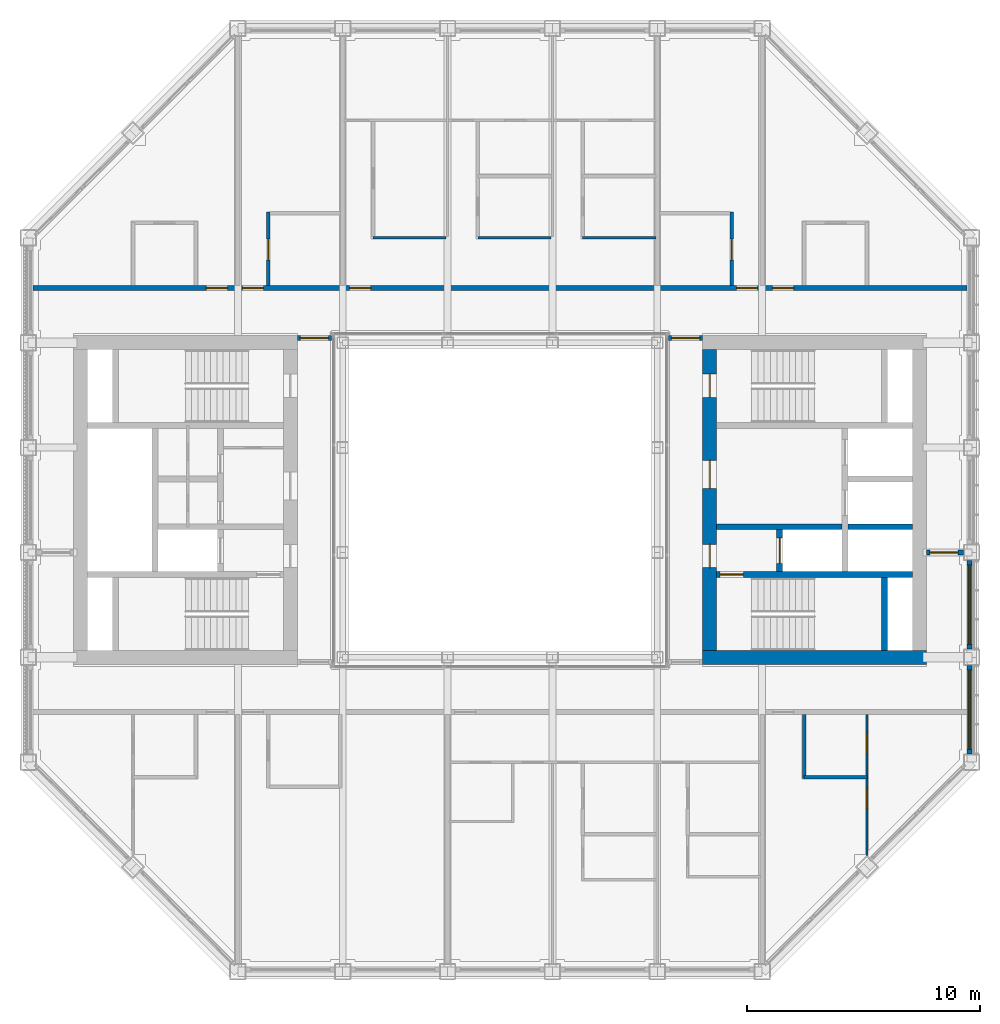
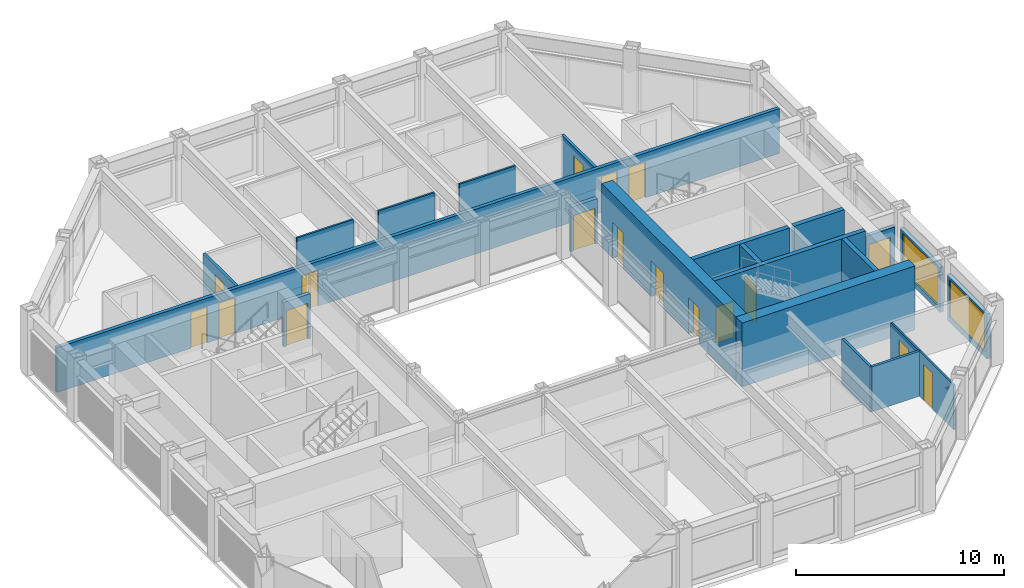
# One storey, part 11 of 17: 21 walls, 17 doors, 2 windows, 19 openings.
"""IFC4 building model written with IfcOpenShell, lengths in metres."""

from ifc_helpers import new_model, si_unit, direction, frame, frame_2d, origin, place, context, subcontext, project, spatial, rectangle, extrude, material, layer, layer_set, type_object, element, fill, save


model = new_model("IFC4")

# Units and contexts
model_context = context("Model", 3, precision=1e-05, world=origin(), true_north=direction((0.0, 1.0)))
body_context = subcontext(model_context, "Body", "Model", "MODEL_VIEW")
ifc_project = project(units=[si_unit("LENGTHUNIT", "METRE"), si_unit("AREAUNIT", "SQUARE_METRE"), si_unit("VOLUMEUNIT", "CUBIC_METRE"), si_unit("PLANEANGLEUNIT", "RADIAN"), si_unit("MASSUNIT", "GRAM", prefix="KILO")], contexts=[model_context])

# Site, building, storey
site_placement = place(None, origin())
site = spatial("IfcSite", under=ifc_project, at=site_placement, CompositionType="ELEMENT")
building_placement = place(site_placement, origin())
building = spatial("IfcBuilding", under=site, at=building_placement, Name="Msasa Ring Tower", CompositionType="ELEMENT")
storey_placement = place(building_placement, frame((0.0, 0.0, 234.550048828125)))
storey = spatial("IfcBuildingStorey", under=building, at=storey_placement, Name="L61", CompositionType="ELEMENT", Elevation=234.550048828125)

# Wall
ifc_material_1 = material(Name="Concrete C60/75", Category="concrete")
ifc_layer_1 = layer(ifc_material_1, 0.60009765625)
ifc_layer_set_1 = layer_set([ifc_layer_1], Name="CW3 CORE WALL 600")
wall_type_1 = type_object("IfcWallType", Name="CW3 CORE WALL 600", PredefinedType="SHEAR", material=ifc_layer_set_1)
wall_1_placement = place(storey_placement, frame((8.699951171875, -6.75, 0.0), z_axis=(0.0, 0.0, 1.0), x_axis=(1.0, 0.0, 0.0)))
element("IfcWall", 1, at=wall_1_placement, inside=storey, type_object=wall_type_1, Name="E core wall S L61", PredefinedType="SHEAR", context=body_context, shape_type="SweptSolid", body=[
    extrude(rectangle(XDim=9.60009765625, YDim=0.60009765625, at=frame_2d((4.800048828125, 0.0))), origin(), (0.0, 0.0, 1.0), 3.75),
])

# Wall, openings, doors
wall_2_placement = place(storey_placement, frame((9.0, -6.449951171875, 0.0), z_axis=(0.0, 0.0, 1.0), x_axis=(0.0, 1.0, 0.0)))
wall_2 = element("IfcWall", 2, at=wall_2_placement, inside=storey, type_object=wall_type_1, Name="E core wall W L61", PredefinedType="SHEAR", context=body_context, shape_type="SweptSolid", body=[
    extrude(rectangle(XDim=12.89990234375, YDim=0.60009765625, at=frame_2d((6.449951171875, 0.0))), origin(), (0.0, 0.0, 1.0), 3.75),
])
opening_1_placement = place(wall_2_placement, frame((3.550048828125, 0.0, 0.0)))
opening_1 = element("IfcOpeningElement", 3, at=opening_1_placement, cuts=wall_2, Name="Opening SD-032", PredefinedType="OPENING", context=body_context, shape_type="SweptSolid", body=[
    extrude(rectangle(XDim=1.0, YDim=2.10009765625, at=frame_2d((0.5, 1.050048828125))), frame((0.0, 0.31005859375, 0.0), z_axis=(0.0, -1.0, 0.0), x_axis=(1.0, 0.0, 0.0)), (0.0, 0.0, 1.0), 0.6201171875),
])
opening_2_placement = place(wall_2_placement, frame((6.949951171875, 0.0, 0.0)))
opening_2 = element("IfcOpeningElement", 4, at=opening_2_placement, cuts=wall_2, Name="Opening SD-025", PredefinedType="OPENING", context=body_context, shape_type="SweptSolid", body=[
    extrude(rectangle(XDim=1.199951171875, YDim=2.10009765625, at=frame_2d((0.60009765625, 1.050048828125))), frame((0.0, 0.31005859375, 0.0), z_axis=(0.0, -1.0, 0.0), x_axis=(1.0, 0.0, 0.0)), (0.0, 0.0, 1.0), 0.6201171875),
])
opening_3_placement = place(wall_2_placement, frame((10.85009765625, 0.0, 0.0)))
opening_3 = element("IfcOpeningElement", 5, at=opening_3_placement, cuts=wall_2, Name="Opening SD-021", PredefinedType="OPENING", context=body_context, shape_type="SweptSolid", body=[
    extrude(rectangle(XDim=1.0, YDim=2.10009765625, at=frame_2d((0.5, 1.050048828125))), frame((0.0, 0.31005859375, 0.0), z_axis=(0.0, -1.0, 0.0), x_axis=(1.0, 0.0, 0.0)), (0.0, 0.0, 1.0), 0.6201171875),
])
ifc_material_2 = material(Name="Timber door leaf in a steel frame", Category="steel")
door_type_1 = type_object("IfcDoorType", Name="D4 LOBBY DOOR 1000x2100", OperationType="SINGLE_SWING_LEFT", PredefinedType="DOOR", material=ifc_material_2)
door_1_placement = place(opening_1_placement, origin())
door_1 = element("IfcDoor", 6, at=door_1_placement, inside=storey, type_object=door_type_1, Name="Door L61-EFFL", OperationType="SINGLE_SWING_LEFT", OverallHeight=2.10009765625, OverallWidth=1.0, PredefinedType="DOOR", context=body_context, shape_type="SweptSolid", body=[
    extrude(rectangle(XDim=1.0, YDim=2.10009765625, at=frame_2d((0.5, 1.050048828125))), frame((0.0, 0.02490234375, 0.0), z_axis=(0.0, -1.0, 0.0), x_axis=(1.0, 0.0, 0.0)), (0.0, 0.0, 1.0), 0.050048828125),
])
fill(opening_1, door_1)
ifc_material_3 = material(Name="Timber door leaf in a steel frame", Category="steel")
door_type_2 = type_object("IfcDoorType", Name="D5 WIDE LOBBY DOOR 1200x2100", OperationType="SINGLE_SWING_LEFT", PredefinedType="DOOR", material=ifc_material_3)
door_2_placement = place(opening_2_placement, origin())
door_2 = element("IfcDoor", 7, at=door_2_placement, inside=storey, type_object=door_type_2, Name="Door L61-ELL", OperationType="SINGLE_SWING_RIGHT", OverallHeight=2.10009765625, OverallWidth=1.199951171875, PredefinedType="DOOR", context=body_context, shape_type="SweptSolid", body=[
    extrude(rectangle(XDim=1.199951171875, YDim=2.10009765625, at=frame_2d((0.60009765625, 1.050048828125))), frame((0.0, 0.02490234375, 0.0), z_axis=(0.0, -1.0, 0.0), x_axis=(1.0, 0.0, 0.0)), (0.0, 0.0, 1.0), 0.050048828125),
])
fill(opening_2, door_2)
ifc_material_4 = material(Name="Timber door leaf in a steel frame", Category="steel")
door_type_3 = type_object("IfcDoorType", Name="D6 STAIR DOOR 1000x2100", OperationType="SINGLE_SWING_LEFT", PredefinedType="DOOR", material=ifc_material_4)
door_3_placement = place(opening_3_placement, origin())
door_3 = element("IfcDoor", 8, at=door_3_placement, inside=storey, type_object=door_type_3, Name="Door L61-ESTB", OperationType="SINGLE_SWING_RIGHT", OverallHeight=2.10009765625, OverallWidth=1.0, PredefinedType="DOOR", context=body_context, shape_type="SweptSolid", body=[
    extrude(rectangle(XDim=1.0, YDim=2.10009765625, at=frame_2d((0.5, 1.050048828125))), frame((0.0, 0.02490234375, 0.0), z_axis=(0.0, -1.0, 0.0), x_axis=(1.0, 0.0, 0.0)), (0.0, 0.0, 1.0), 0.050048828125),
])
fill(opening_3, door_3)

# Wall, opening, door
ifc_material_5 = material(Name="Concrete C60/75", Category="concrete")
ifc_layer_2 = layer(ifc_material_5, 0.25)
ifc_layer_set_2 = layer_set([ifc_layer_2], Name="CW4 CORE INNER WALL 250")
wall_type_2 = type_object("IfcWallType", Name="CW4 CORE INNER WALL 250", PredefinedType="SHEAR", material=ifc_layer_set_2)
wall_3_placement = place(storey_placement, frame((9.300048828125, -3.199951171875, 0.0), z_axis=(0.0, 0.0, 1.0), x_axis=(1.0, 0.0, 0.0)))
wall_3 = element("IfcWall", 9, at=wall_3_placement, inside=storey, type_object=wall_type_2, Name="E core wall STAIRA L61", PredefinedType="SHEAR", context=body_context, shape_type="SweptSolid", body=[
    extrude(rectangle(XDim=8.39990234375, YDim=0.25, at=frame_2d((4.199951171875, 0.0))), origin(), (0.0, 0.0, 1.0), 3.75),
])
opening_4_placement = place(wall_3_placement, frame((0.14990234375, 0.0, 0.0)))
opening_4 = element("IfcOpeningElement", 10, at=opening_4_placement, cuts=wall_3, Name="Opening SD-034", PredefinedType="OPENING", context=body_context, shape_type="SweptSolid", body=[
    extrude(rectangle(XDim=1.0, YDim=2.10009765625, at=frame_2d((0.5, 1.050048828125))), frame((0.0, 0.135009765625, 0.0), z_axis=(0.0, -1.0, 0.0), x_axis=(1.0, 0.0, 0.0)), (0.0, 0.0, 1.0), 0.27001953125),
])
door_4_placement = place(opening_4_placement, origin())
door_4 = element("IfcDoor", 11, at=door_4_placement, inside=storey, type_object=door_type_3, Name="Door L61-ESTA", OperationType="SINGLE_SWING_LEFT", OverallHeight=2.10009765625, OverallWidth=1.0, PredefinedType="DOOR", context=body_context, shape_type="SweptSolid", body=[
    extrude(rectangle(XDim=1.0, YDim=2.10009765625, at=frame_2d((0.5, 1.050048828125))), frame((0.0, 0.02490234375, 0.0), z_axis=(0.0, -1.0, 0.0), x_axis=(1.0, 0.0, 0.0)), (0.0, 0.0, 1.0), 0.050048828125),
])
fill(opening_4, door_4)

# Walls
wall_4_placement = place(storey_placement, frame((16.5, -6.449951171875, 0.0), z_axis=(0.0, 0.0, 1.0), x_axis=(0.0, 1.0, 0.0)))
element("IfcWall", 12, at=wall_4_placement, inside=storey, type_object=wall_type_2, Name="E core wall RISERA L61", PredefinedType="SHEAR", context=body_context, shape_type="SweptSolid", body=[
    extrude(rectangle(XDim=3.125, YDim=0.25, at=frame_2d((1.5625, 0.0))), origin(), (0.0, 0.0, 1.0), 3.75),
])
wall_5_placement = place(storey_placement, frame((9.300048828125, -1.14990234375, 0.0), z_axis=(0.0, 0.0, 1.0), x_axis=(1.0, 0.0, 0.0)))
element("IfcWall", 13, at=wall_5_placement, inside=storey, type_object=wall_type_2, Name="E core wall FFL L61", PredefinedType="SHEAR", context=body_context, shape_type="SweptSolid", body=[
    extrude(rectangle(XDim=5.375, YDim=0.25, at=frame_2d((2.6875, 0.0))), origin(), (0.0, 0.0, 1.0), 3.75),
])

# Wall, opening, door
wall_6_placement = place(storey_placement, frame((12.0, -3.074951171875, 0.0), z_axis=(0.0, 0.0, 1.0), x_axis=(0.0, 1.0, 0.0)))
wall_6 = element("IfcWall", 14, at=wall_6_placement, inside=storey, type_object=wall_type_2, Name="E core wall LOBBY L61", PredefinedType="SHEAR", context=body_context, shape_type="SweptSolid", body=[
    extrude(rectangle(XDim=1.800048828125, YDim=0.25, at=frame_2d((0.89990234375, 0.0))), origin(), (0.0, 0.0, 1.0), 3.75),
])
opening_5_placement = place(wall_6_placement, frame((0.35009765625, 0.0, 0.0)))
opening_5 = element("IfcOpeningElement", 15, at=opening_5_placement, cuts=wall_6, Name="Opening LD1", PredefinedType="OPENING", context=body_context, shape_type="SweptSolid", body=[
    extrude(rectangle(XDim=1.10009765625, YDim=2.10009765625, at=frame_2d((0.550048828125, 1.050048828125))), frame((0.0, 0.135009765625, 0.0), z_axis=(0.0, -1.0, 0.0), x_axis=(1.0, 0.0, 0.0)), (0.0, 0.0, 1.0), 0.27001953125),
])
ifc_material_6 = material(Name="Stainless steel lift landing door", Category="steel")
door_type_4 = type_object("IfcDoorType", Name="LD1 LIFT LANDING DOOR 1100x2100", OperationType="DOUBLE_DOOR_SLIDING", PredefinedType="DOOR", material=ifc_material_6)
door_5_placement = place(opening_5_placement, origin())
door_5 = element("IfcDoor", 16, at=door_5_placement, inside=storey, type_object=door_type_4, Name="Lift landing door FL-E L61", OperationType="DOUBLE_DOOR_SLIDING", OverallHeight=2.10009765625, OverallWidth=1.10009765625, PredefinedType="DOOR", context=body_context, shape_type="SweptSolid", body=[
    extrude(rectangle(XDim=1.10009765625, YDim=2.10009765625, at=frame_2d((0.550048828125, 1.050048828125))), frame((0.0, 0.02490234375, 0.0), z_axis=(0.0, -1.0, 0.0), x_axis=(1.0, 0.0, 0.0)), (0.0, 0.0, 1.0), 0.050048828125),
])
fill(opening_5, door_5)

# Wall
wall_7_placement = place(storey_placement, frame((14.925048828125, -1.14990234375, 0.0), z_axis=(0.0, 0.0, 1.0), x_axis=(1.0, 0.0, 0.0)))
element("IfcWall", 17, at=wall_7_placement, inside=storey, type_object=wall_type_2, Name="E core wall HSEP L61", PredefinedType="SHEAR", context=body_context, shape_type="SweptSolid", body=[
    extrude(rectangle(XDim=2.77490234375, YDim=0.25, at=frame_2d((1.387451171875, 0.0))), origin(), (0.0, 0.0, 1.0), 3.75),
])

# Wall, opening, window
ifc_material_7 = material(Name="Terracotta rainscreen on blockwork", Category="masonry")
ifc_layer_3 = layer(ifc_material_7, 0.199951171875)
ifc_layer_set_3 = layer_set([ifc_layer_3], Name="FW1 TERRACOTTA-LINED INFILL BAY WALL 200")
wall_type_3 = type_object("IfcWallType", Name="FW1 TERRACOTTA-LINED INFILL BAY WALL 200", PredefinedType="SOLIDWALL", material=ifc_layer_set_3)
wall_8_placement = place(storey_placement, frame((20.14990234375, -10.89501953125, 0.0), z_axis=(0.0, 0.0, 1.0), x_axis=(0.0, 1.0, 0.0)))
wall_8 = element("IfcWall", 18, at=wall_8_placement, inside=storey, type_object=wall_type_3, Name="Infill bay wall E L61 07", PredefinedType="SOLIDWALL", context=body_context, shape_type="SweptSolid", body=[
    extrude(rectangle(XDim=3.7900390625, YDim=0.199951171875, at=frame_2d((1.89501953125, 0.0))), origin(), (0.0, 0.0, 1.0), 2.62890625),
])
opening_6_placement = place(wall_8_placement, frame((0.195068359375, 0.0, 0.300048828125)))
opening_6 = element("IfcOpeningElement", 19, at=opening_6_placement, cuts=wall_8, Name="Opening WN3", PredefinedType="OPENING", context=body_context, shape_type="SweptSolid", body=[
    extrude(rectangle(XDim=3.39990234375, YDim=2.178955078125, at=frame_2d((1.699951171875, 1.08935546875))), frame((0.0, 0.10986328125, 0.0), z_axis=(0.0, -1.0, 0.0), x_axis=(1.0, 0.0, 0.0)), (0.0, 0.0, 1.0), 0.219970703125),
])
ifc_material_8 = material(Name="Aluminium frame with clear glass", Category="aluminium")
window_type = type_object("IfcWindowType", Name="WN3 SUITE WINDOW 3400x2179", PartitioningType="SINGLE_PANEL", PredefinedType="WINDOW", material=ifc_material_8)
window_1_placement = place(opening_6_placement, origin())
window_1 = element("IfcWindow", 20, at=window_1_placement, inside=storey, type_object=window_type, Name="Window E L61 07", OverallHeight=2.178955078125, OverallWidth=3.39990234375, PartitioningType="SINGLE_PANEL", PredefinedType="WINDOW", context=body_context, shape_type="SweptSolid", body=[
    extrude(rectangle(XDim=3.39990234375, YDim=2.178955078125, at=frame_2d((1.699951171875, 1.08935546875))), frame((0.0, 0.030029296875, 0.0), z_axis=(0.0, -1.0, 0.0), x_axis=(1.0, 0.0, 0.0)), (0.0, 0.0, 1.0), 0.06005859375),
])
fill(opening_6, window_1)

wall_9_placement = place(storey_placement, frame((20.14990234375, -6.39501953125, 0.0), z_axis=(0.0, 0.0, 1.0), x_axis=(0.0, 1.0, 0.0)))
wall_9 = element("IfcWall", 21, at=wall_9_placement, inside=storey, type_object=wall_type_3, Name="Infill bay wall E L61 08", PredefinedType="SOLIDWALL", context=body_context, shape_type="SweptSolid", body=[
    extrude(rectangle(XDim=3.7900390625, YDim=0.199951171875, at=frame_2d((1.89501953125, 0.0))), origin(), (0.0, 0.0, 1.0), 2.62890625),
])
opening_7_placement = place(wall_9_placement, frame((0.195068359375, 0.0, 0.300048828125)))
opening_7 = element("IfcOpeningElement", 22, at=opening_7_placement, cuts=wall_9, Name="Opening WN3", PredefinedType="OPENING", context=body_context, shape_type="SweptSolid", body=[
    extrude(rectangle(XDim=3.39990234375, YDim=2.178955078125, at=frame_2d((1.699951171875, 1.08935546875))), frame((0.0, 0.10986328125, 0.0), z_axis=(0.0, -1.0, 0.0), x_axis=(1.0, 0.0, 0.0)), (0.0, 0.0, 1.0), 0.219970703125),
])
window_2_placement = place(opening_7_placement, origin())
window_2 = element("IfcWindow", 23, at=window_2_placement, inside=storey, type_object=window_type, Name="Window E L61 08", OverallHeight=2.178955078125, OverallWidth=3.39990234375, PartitioningType="SINGLE_PANEL", PredefinedType="WINDOW", context=body_context, shape_type="SweptSolid", body=[
    extrude(rectangle(XDim=3.39990234375, YDim=2.178955078125, at=frame_2d((1.699951171875, 1.08935546875))), frame((0.0, 0.030029296875, 0.0), z_axis=(0.0, -1.0, 0.0), x_axis=(1.0, 0.0, 0.0)), (0.0, 0.0, 1.0), 0.06005859375),
])
fill(opening_7, window_2)

# Wall, opening, door
ifc_material_9 = material(Name="Concrete blockwork", Category="masonry")
ifc_layer_4 = layer(ifc_material_9, 0.199951171875)
ifc_layer_set_4 = layer_set([ifc_layer_4], Name="PT1 CORRIDOR WALL 200")
wall_type_4 = type_object("IfcWallType", Name="PT1 CORRIDOR WALL 200", PredefinedType="PARTITIONING", material=ifc_layer_set_4)
wall_10_placement = place(storey_placement, frame((18.300048828125, -2.25, 0.0), z_axis=(0.0, 0.0, 1.0), x_axis=(1.0, 0.0, 0.0)))
wall_10 = element("IfcWall", 24, at=wall_10_placement, inside=storey, type_object=wall_type_4, Name="Corridor wall L61-WSE", PredefinedType="PARTITIONING", context=body_context, shape_type="SweptSolid", body=[
    extrude(rectangle(XDim=1.599853515625, YDim=0.199951171875, at=frame_2d((0.7998046875, 0.0))), origin(), (0.0, 0.0, 1.0), 2.62890625),
])
opening_8_placement = place(wall_10_placement, frame((0.14990234375, 0.0, 0.0)))
opening_8 = element("IfcOpeningElement", 25, at=opening_8_placement, cuts=wall_10, Name="Opening SD-030", PredefinedType="OPENING", context=body_context, shape_type="SweptSolid", body=[
    extrude(rectangle(XDim=1.199951171875, YDim=2.10009765625, at=frame_2d((0.60009765625, 1.050048828125))), frame((0.0, 0.10986328125, 0.0), z_axis=(0.0, -1.0, 0.0), x_axis=(1.0, 0.0, 0.0)), (0.0, 0.0, 1.0), 0.219970703125),
])
ifc_material_10 = material(Name="Timber door leaf in a steel frame", Category="steel")
door_type_5 = type_object("IfcDoorType", Name="D25 CORRIDOR PAIR OF SMOKE DOORS 1200x2100", OperationType="DOUBLE_DOOR_DOUBLE_SWING", PredefinedType="DOOR", material=ifc_material_10)
door_6_placement = place(opening_8_placement, origin())
door_6 = element("IfcDoor", 26, at=door_6_placement, inside=storey, type_object=door_type_5, Name="Door L61-WSE", OperationType="DOUBLE_DOOR_DOUBLE_SWING", OverallHeight=2.10009765625, OverallWidth=1.199951171875, PredefinedType="DOOR", context=body_context, shape_type="SweptSolid", body=[
    extrude(rectangle(XDim=1.199951171875, YDim=2.10009765625, at=frame_2d((0.60009765625, 1.050048828125))), frame((0.0, 0.02490234375, 0.0), z_axis=(0.0, -1.0, 0.0), x_axis=(1.0, 0.0, 0.0)), (0.0, 0.0, 1.0), 0.050048828125),
])
fill(opening_8, door_6)

wall_11_placement = place(storey_placement, frame((7.22998046875, 6.949951171875, 0.0), z_axis=(0.0, 0.0, 1.0), x_axis=(1.0, 0.0, 0.0)))
wall_11 = element("IfcWall", 27, at=wall_11_placement, inside=storey, type_object=wall_type_4, Name="Corridor wall L61-SDEN", PredefinedType="PARTITIONING", context=body_context, shape_type="SweptSolid", body=[
    extrude(rectangle(XDim=1.469970703125, YDim=0.199951171875, at=frame_2d((0.73486328125, 0.0))), origin(), (0.0, 0.0, 1.0), 2.62890625),
])
opening_9_placement = place(wall_11_placement, frame((0.135009765625, 0.0, 0.0)))
opening_9 = element("IfcOpeningElement", 28, at=opening_9_placement, cuts=wall_11, Name="Opening SD-019", PredefinedType="OPENING", context=body_context, shape_type="SweptSolid", body=[
    extrude(rectangle(XDim=1.199951171875, YDim=2.10009765625, at=frame_2d((0.60009765625, 1.050048828125))), frame((0.0, 0.10986328125, 0.0), z_axis=(0.0, -1.0, 0.0), x_axis=(1.0, 0.0, 0.0)), (0.0, 0.0, 1.0), 0.219970703125),
])
door_7_placement = place(opening_9_placement, origin())
door_7 = element("IfcDoor", 29, at=door_7_placement, inside=storey, type_object=door_type_5, Name="Door L61-SDEN", OperationType="DOUBLE_DOOR_DOUBLE_SWING", OverallHeight=2.10009765625, OverallWidth=1.199951171875, PredefinedType="DOOR", context=body_context, shape_type="SweptSolid", body=[
    extrude(rectangle(XDim=1.199951171875, YDim=2.10009765625, at=frame_2d((0.60009765625, 1.050048828125))), frame((0.0, 0.02490234375, 0.0), z_axis=(0.0, -1.0, 0.0), x_axis=(1.0, 0.0, 0.0)), (0.0, 0.0, 1.0), 0.050048828125),
])
fill(opening_9, door_7)

wall_12_placement = place(storey_placement, frame((-8.699951171875, 6.949951171875, 0.0), z_axis=(0.0, 0.0, 1.0), x_axis=(1.0, 0.0, 0.0)))
wall_12 = element("IfcWall", 30, at=wall_12_placement, inside=storey, type_object=wall_type_4, Name="Corridor wall L61-SDWN", PredefinedType="PARTITIONING", context=body_context, shape_type="SweptSolid", body=[
    extrude(rectangle(XDim=1.469970703125, YDim=0.199951171875, at=frame_2d((0.73486328125, 0.0))), origin(), (0.0, 0.0, 1.0), 2.62890625),
])
opening_10_placement = place(wall_12_placement, frame((0.135009765625, 0.0, 0.0)))
opening_10 = element("IfcOpeningElement", 31, at=opening_10_placement, cuts=wall_12, Name="Opening SD-018", PredefinedType="OPENING", context=body_context, shape_type="SweptSolid", body=[
    extrude(rectangle(XDim=1.199951171875, YDim=2.10009765625, at=frame_2d((0.60009765625, 1.050048828125))), frame((0.0, 0.10986328125, 0.0), z_axis=(0.0, -1.0, 0.0), x_axis=(1.0, 0.0, 0.0)), (0.0, 0.0, 1.0), 0.219970703125),
])
door_8_placement = place(opening_10_placement, origin())
door_8 = element("IfcDoor", 32, at=door_8_placement, inside=storey, type_object=door_type_5, Name="Door L61-SDWN", OperationType="DOUBLE_DOOR_DOUBLE_SWING", OverallHeight=2.10009765625, OverallWidth=1.199951171875, PredefinedType="DOOR", context=body_context, shape_type="SweptSolid", body=[
    extrude(rectangle(XDim=1.199951171875, YDim=2.10009765625, at=frame_2d((0.60009765625, 1.050048828125))), frame((0.0, 0.02490234375, 0.0), z_axis=(0.0, -1.0, 0.0), x_axis=(1.0, 0.0, 0.0)), (0.0, 0.0, 1.0), 0.050048828125),
])
fill(opening_10, door_8)

# Wall, openings, doors
wall_13_placement = place(storey_placement, frame((-20.050048828125, 9.10009765625, 0.0), z_axis=(0.0, 0.0, 1.0), x_axis=(1.0, 0.0, 0.0)))
wall_13 = element("IfcWall", 33, at=wall_13_placement, inside=storey, type_object=wall_type_4, Name="Corridor wall L61-CORRN0", PredefinedType="PARTITIONING", context=body_context, shape_type="SweptSolid", body=[
    extrude(rectangle(XDim=40.10009765625, YDim=0.199951171875, at=frame_2d((20.050048828125, 0.0))), origin(), (0.0, 0.0, 1.0), 2.62890625),
])
opening_11_placement = place(wall_13_placement, frame((9.0, 0.0, 0.0)))
opening_11 = element("IfcOpeningElement", 34, at=opening_11_placement, cuts=wall_13, Name="Opening SD-014", PredefinedType="OPENING", context=body_context, shape_type="SweptSolid", body=[
    extrude(rectangle(XDim=0.89990234375, YDim=2.10009765625, at=frame_2d((0.449951171875, 1.050048828125))), frame((0.0, 0.10986328125, 0.0), z_axis=(0.0, -1.0, 0.0), x_axis=(1.0, 0.0, 0.0)), (0.0, 0.0, 1.0), 0.219970703125),
])
opening_12_placement = place(wall_13_placement, frame((13.60009765625, 0.0, 0.0)))
opening_12 = element("IfcOpeningElement", 35, at=opening_12_placement, cuts=wall_13, Name="Opening SD-015", PredefinedType="OPENING", context=body_context, shape_type="SweptSolid", body=[
    extrude(rectangle(XDim=0.89990234375, YDim=2.10009765625, at=frame_2d((0.449951171875, 1.050048828125))), frame((0.0, 0.10986328125, 0.0), z_axis=(0.0, -1.0, 0.0), x_axis=(1.0, 0.0, 0.0)), (0.0, 0.0, 1.0), 0.219970703125),
])
opening_13_placement = place(wall_13_placement, frame((30.199951171875, 0.0, 0.0)))
opening_13 = element("IfcOpeningElement", 36, at=opening_13_placement, cuts=wall_13, Name="Opening SD-016", PredefinedType="OPENING", context=body_context, shape_type="SweptSolid", body=[
    extrude(rectangle(XDim=0.89990234375, YDim=2.10009765625, at=frame_2d((0.449951171875, 1.050048828125))), frame((0.0, 0.10986328125, 0.0), z_axis=(0.0, -1.0, 0.0), x_axis=(1.0, 0.0, 0.0)), (0.0, 0.0, 1.0), 0.219970703125),
])
opening_14_placement = place(wall_13_placement, frame((31.75, 0.0, 0.0)))
opening_14 = element("IfcOpeningElement", 37, at=opening_14_placement, cuts=wall_13, Name="Opening SD-017", PredefinedType="OPENING", context=body_context, shape_type="SweptSolid", body=[
    extrude(rectangle(XDim=0.89990234375, YDim=2.10009765625, at=frame_2d((0.449951171875, 1.050048828125))), frame((0.0, 0.10986328125, 0.0), z_axis=(0.0, -1.0, 0.0), x_axis=(1.0, 0.0, 0.0)), (0.0, 0.0, 1.0), 0.219970703125),
])
opening_15_placement = place(wall_13_placement, frame((7.449951171875, 0.0, 0.0)))
opening_15 = element("IfcOpeningElement", 38, at=opening_15_placement, cuts=wall_13, Name="Opening SD-013", PredefinedType="OPENING", context=body_context, shape_type="SweptSolid", body=[
    extrude(rectangle(XDim=0.89990234375, YDim=2.10009765625, at=frame_2d((0.449951171875, 1.050048828125))), frame((0.0, 0.10986328125, 0.0), z_axis=(0.0, -1.0, 0.0), x_axis=(1.0, 0.0, 0.0)), (0.0, 0.0, 1.0), 0.219970703125),
])
ifc_material_11 = material(Name="Timber door leaf in a steel frame", Category="steel")
door_type_6 = type_object("IfcDoorType", Name="D1 SINGLE DOOR TO CORRIDOR 900x2100", OperationType="SINGLE_SWING_LEFT", PredefinedType="DOOR", material=ifc_material_11)
door_9_placement = place(opening_11_placement, origin())
door_9 = element("IfcDoor", 39, at=door_9_placement, inside=storey, type_object=door_type_6, Name="Door L61-JN00", OperationType="SINGLE_SWING_LEFT", OverallHeight=2.10009765625, OverallWidth=0.89990234375, PredefinedType="DOOR", context=body_context, shape_type="SweptSolid", body=[
    extrude(rectangle(XDim=0.89990234375, YDim=2.10009765625, at=frame_2d((0.449951171875, 1.050048828125))), frame((0.0, 0.02490234375, 0.0), z_axis=(0.0, -1.0, 0.0), x_axis=(1.0, 0.0, 0.0)), (0.0, 0.0, 1.0), 0.050048828125),
])
fill(opening_11, door_9)
door_10_placement = place(opening_13_placement, origin())
door_10 = element("IfcDoor", 40, at=door_10_placement, inside=storey, type_object=door_type_6, Name="Door L61-JN02", OperationType="SINGLE_SWING_RIGHT", OverallHeight=2.10009765625, OverallWidth=0.89990234375, PredefinedType="DOOR", context=body_context, shape_type="SweptSolid", body=[
    extrude(rectangle(XDim=0.89990234375, YDim=2.10009765625, at=frame_2d((0.449951171875, 1.050048828125))), frame((0.0, 0.02490234375, 0.0), z_axis=(0.0, -1.0, 0.0), x_axis=(1.0, 0.0, 0.0)), (0.0, 0.0, 1.0), 0.050048828125),
])
fill(opening_13, door_10)
ifc_material_12 = material(Name="Timber door leaf in a steel frame", Category="steel")
door_type_7 = type_object("IfcDoorType", Name="D2 ENTRANCE DOOR 900x2100", OperationType="SINGLE_SWING_LEFT", PredefinedType="DOOR", material=ifc_material_12)
door_11_placement = place(opening_12_placement, origin())
door_11 = element("IfcDoor", 41, at=door_11_placement, inside=storey, type_object=door_type_7, Name="Door L61-JN01", OperationType="SINGLE_SWING_LEFT", OverallHeight=2.10009765625, OverallWidth=0.89990234375, PredefinedType="DOOR", context=body_context, shape_type="SweptSolid", body=[
    extrude(rectangle(XDim=0.89990234375, YDim=2.10009765625, at=frame_2d((0.449951171875, 1.050048828125))), frame((0.0, 0.02490234375, 0.0), z_axis=(0.0, -1.0, 0.0), x_axis=(1.0, 0.0, 0.0)), (0.0, 0.0, 1.0), 0.050048828125),
])
fill(opening_12, door_11)
door_12_placement = place(opening_14_placement, origin())
door_12 = element("IfcDoor", 42, at=door_12_placement, inside=storey, type_object=door_type_7, Name="Door L61-CSNE", OperationType="SINGLE_SWING_RIGHT", OverallHeight=2.10009765625, OverallWidth=0.89990234375, PredefinedType="DOOR", context=body_context, shape_type="SweptSolid", body=[
    extrude(rectangle(XDim=0.89990234375, YDim=2.10009765625, at=frame_2d((0.449951171875, 1.050048828125))), frame((0.0, 0.02490234375, 0.0), z_axis=(0.0, -1.0, 0.0), x_axis=(1.0, 0.0, 0.0)), (0.0, 0.0, 1.0), 0.050048828125),
])
fill(opening_14, door_12)
door_13_placement = place(opening_15_placement, origin())
door_13 = element("IfcDoor", 43, at=door_13_placement, inside=storey, type_object=door_type_7, Name="Door L61-CSNW", OperationType="SINGLE_SWING_LEFT", OverallHeight=2.10009765625, OverallWidth=0.89990234375, PredefinedType="DOOR", context=body_context, shape_type="SweptSolid", body=[
    extrude(rectangle(XDim=0.89990234375, YDim=2.10009765625, at=frame_2d((0.449951171875, 1.050048828125))), frame((0.0, 0.02490234375, 0.0), z_axis=(0.0, -1.0, 0.0), x_axis=(1.0, 0.0, 0.0)), (0.0, 0.0, 1.0), 0.050048828125),
])
fill(opening_15, door_13)

# Walls
ifc_material_13 = material(Name="Gypsum board on steel studs", Category="steel")
ifc_layer_5 = layer(ifc_material_13, 0.10009765625)
ifc_layer_set_5 = layer_set([ifc_layer_5], Name="PT2 STUD PARTITION 100")
wall_type_5 = type_object("IfcWallType", Name="PT2 STUD PARTITION 100", PredefinedType="PARTITIONING", material=ifc_layer_set_5)
for number, where, z_axis, x_axis, name in (
    (44, (-5.449951171875, 11.25, 0.0), (0.0, 0.0, 1.0), (1.0, 0.0, 0.0), "Partition L61-JN01HY0"),
    (45, (-0.949951171875, 11.25, 0.0), (0.0, 0.0, 1.0), (1.0, 0.0, 0.0), "Partition L61-JN01HY1"),
    (46, (3.550048828125, 11.25, 0.0), (0.0, 0.0, 1.0), (1.0, 0.0, 0.0), "Partition L61-JN01HY2"),
):
    element("IfcWall", number, at=place(storey_placement, frame(where, z_axis=z_axis, x_axis=x_axis)), inside=storey, type_object=wall_type_5, Name=name, PredefinedType="PARTITIONING", context=body_context, shape_type="SweptSolid", body=[
        extrude(rectangle(XDim=3.139892578125, YDim=0.10009765625, at=frame_2d((1.56982421875, 0.0))), origin(), (0.0, 0.0, 1.0), 2.62890625),
    ])

# Wall, openings, doors
wall_14_placement = place(storey_placement, frame((15.75, -15.2548828125, 0.0), z_axis=(0.0, 0.0, 1.0), x_axis=(0.0, 1.0, 0.0)))
wall_14 = element("IfcWall", 47, at=wall_14_placement, inside=storey, type_object=wall_type_5, Name="Partition L61-CSSEP1", PredefinedType="PARTITIONING", context=body_context, shape_type="SweptSolid", body=[
    extrude(rectangle(XDim=6.054931640625, YDim=0.10009765625, at=frame_2d((3.02734375, 0.0))), origin(), (0.0, 0.0, 1.0), 2.62890625),
])
opening_16_placement = place(wall_14_placement, frame((2.030029296875, 0.0, 0.0)))
opening_16 = element("IfcOpeningElement", 48, at=opening_16_placement, cuts=wall_14, Name="Opening SD-051", PredefinedType="OPENING", context=body_context, shape_type="SweptSolid", body=[
    extrude(rectangle(XDim=0.85009765625, YDim=2.10009765625, at=frame_2d((0.425048828125, 1.050048828125))), frame((0.0, 0.06005859375, 0.0), z_axis=(0.0, -1.0, 0.0), x_axis=(1.0, 0.0, 0.0)), (0.0, 0.0, 1.0), 0.1201171875),
])
opening_17_placement = place(wall_14_placement, frame((4.35498046875, 0.0, 0.0)))
opening_17 = element("IfcOpeningElement", 49, at=opening_17_placement, cuts=wall_14, Name="Opening SD-042", PredefinedType="OPENING", context=body_context, shape_type="SweptSolid", body=[
    extrude(rectangle(XDim=0.89990234375, YDim=2.10009765625, at=frame_2d((0.449951171875, 1.050048828125))), frame((0.0, 0.06005859375, 0.0), z_axis=(0.0, -1.0, 0.0), x_axis=(1.0, 0.0, 0.0)), (0.0, 0.0, 1.0), 0.1201171875),
])
ifc_material_14 = material(Name="Timber door leaf in a steel frame", Category="steel")
door_type_8 = type_object("IfcDoorType", Name="D14 BEDROOM DOOR 850x2100", OperationType="SINGLE_SWING_LEFT", PredefinedType="DOOR", material=ifc_material_14)
door_14_placement = place(opening_16_placement, origin())
door_14 = element("IfcDoor", 50, at=door_14_placement, inside=storey, type_object=door_type_8, Name="Door L61-CSSER1", OperationType="SINGLE_SWING_LEFT", OverallHeight=2.10009765625, OverallWidth=0.85009765625, PredefinedType="DOOR", context=body_context, shape_type="SweptSolid", body=[
    extrude(rectangle(XDim=0.85009765625, YDim=2.10009765625, at=frame_2d((0.425048828125, 1.050048828125))), frame((0.0, 0.02490234375, 0.0), z_axis=(0.0, -1.0, 0.0), x_axis=(1.0, 0.0, 0.0)), (0.0, 0.0, 1.0), 0.050048828125),
])
fill(opening_16, door_14)
ifc_material_15 = material(Name="Timber door leaf in a steel frame", Category="steel")
door_type_9 = type_object("IfcDoorType", Name="D3 BATHROOM DOOR 900x2100", OperationType="SINGLE_SWING_LEFT", PredefinedType="DOOR", material=ifc_material_15)
door_15_placement = place(opening_17_placement, origin())
door_15 = element("IfcDoor", 51, at=door_15_placement, inside=storey, type_object=door_type_9, Name="Door L61-CSSEB1", OperationType="SINGLE_SWING_RIGHT", OverallHeight=2.10009765625, OverallWidth=0.89990234375, PredefinedType="DOOR", context=body_context, shape_type="SweptSolid", body=[
    extrude(rectangle(XDim=0.89990234375, YDim=2.10009765625, at=frame_2d((0.449951171875, 1.050048828125))), frame((0.0, 0.02490234375, 0.0), z_axis=(0.0, -1.0, 0.0), x_axis=(1.0, 0.0, 0.0)), (0.0, 0.0, 1.0), 0.050048828125),
])
fill(opening_17, door_15)

# Wall, opening, door
ifc_material_16 = material(Name="Moisture-resistant board on steel studs with a concealed cistern and pipe void, tiled", Category="steel")
ifc_layer_6 = layer(ifc_material_16, 0.14990234375)
ifc_layer_set_6 = layer_set([ifc_layer_6], Name="PT4 BATHROOM WET WALL 150")
wall_type_6 = type_object("IfcWallType", Name="PT4 BATHROOM WET WALL 150", PredefinedType="PARTITIONING", material=ifc_layer_set_6)
wall_15_placement = place(storey_placement, frame((-9.949951171875, 9.199951171875, 0.0), z_axis=(0.0, 0.0, 1.0), x_axis=(0.0, 1.0, 0.0)))
wall_15 = element("IfcWall", 52, at=wall_15_placement, inside=storey, type_object=wall_type_6, Name="Partition L61-JN00BX", PredefinedType="PARTITIONING", context=body_context, shape_type="SweptSolid", body=[
    extrude(rectangle(XDim=3.150146484375, YDim=0.14990234375, at=frame_2d((1.5751953125, 0.0))), origin(), (0.0, 0.0, 1.0), 2.62890625),
])
opening_18_placement = place(wall_15_placement, frame((1.10009765625, 0.0, 0.0)))
opening_18 = element("IfcOpeningElement", 53, at=opening_18_placement, cuts=wall_15, Name="Opening SD-011", PredefinedType="OPENING", context=body_context, shape_type="SweptSolid", body=[
    extrude(rectangle(XDim=0.89990234375, YDim=2.10009765625, at=frame_2d((0.449951171875, 1.050048828125))), frame((0.0, 0.0849609375, 0.0), z_axis=(0.0, -1.0, 0.0), x_axis=(1.0, 0.0, 0.0)), (0.0, 0.0, 1.0), 0.169921875),
])
door_16_placement = place(opening_18_placement, origin())
door_16 = element("IfcDoor", 54, at=door_16_placement, inside=storey, type_object=door_type_9, Name="Door L61-JN00B", OperationType="SINGLE_SWING_LEFT", OverallHeight=2.10009765625, OverallWidth=0.89990234375, PredefinedType="DOOR", context=body_context, shape_type="SweptSolid", body=[
    extrude(rectangle(XDim=0.89990234375, YDim=2.10009765625, at=frame_2d((0.449951171875, 1.050048828125))), frame((0.0, 0.02490234375, 0.0), z_axis=(0.0, -1.0, 0.0), x_axis=(1.0, 0.0, 0.0)), (0.0, 0.0, 1.0), 0.050048828125),
])
fill(opening_18, door_16)

wall_16_placement = place(storey_placement, frame((9.949951171875, 9.199951171875, 0.0), z_axis=(0.0, 0.0, 1.0), x_axis=(0.0, 1.0, 0.0)))
wall_16 = element("IfcWall", 55, at=wall_16_placement, inside=storey, type_object=wall_type_6, Name="Partition L61-JN02BX", PredefinedType="PARTITIONING", context=body_context, shape_type="SweptSolid", body=[
    extrude(rectangle(XDim=3.150146484375, YDim=0.14990234375, at=frame_2d((1.5751953125, 0.0))), origin(), (0.0, 0.0, 1.0), 2.62890625),
])
opening_19_placement = place(wall_16_placement, frame((1.10009765625, 0.0, 0.0)))
opening_19 = element("IfcOpeningElement", 56, at=opening_19_placement, cuts=wall_16, Name="Opening SD-012", PredefinedType="OPENING", context=body_context, shape_type="SweptSolid", body=[
    extrude(rectangle(XDim=0.89990234375, YDim=2.10009765625, at=frame_2d((0.449951171875, 1.050048828125))), frame((0.0, 0.0849609375, 0.0), z_axis=(0.0, -1.0, 0.0), x_axis=(1.0, 0.0, 0.0)), (0.0, 0.0, 1.0), 0.169921875),
])
door_17_placement = place(opening_19_placement, origin())
door_17 = element("IfcDoor", 57, at=door_17_placement, inside=storey, type_object=door_type_9, Name="Door L61-JN02B", OperationType="SINGLE_SWING_LEFT", OverallHeight=2.10009765625, OverallWidth=0.89990234375, PredefinedType="DOOR", context=body_context, shape_type="SweptSolid", body=[
    extrude(rectangle(XDim=0.89990234375, YDim=2.10009765625, at=frame_2d((0.449951171875, 1.050048828125))), frame((0.0, 0.02490234375, 0.0), z_axis=(0.0, -1.0, 0.0), x_axis=(1.0, 0.0, 0.0)), (0.0, 0.0, 1.0), 0.050048828125),
])
fill(opening_19, door_17)

# Walls
wall_17_placement = place(storey_placement, frame((13.050048828125, -11.949951171875, 0.0), z_axis=(0.0, 0.0, 1.0), x_axis=(0.0, 1.0, 0.0)))
element("IfcWall", 58, at=wall_17_placement, inside=storey, type_object=wall_type_6, Name="Partition L61-CSSEBX", PredefinedType="PARTITIONING", context=body_context, shape_type="SweptSolid", body=[
    extrude(rectangle(XDim=2.75, YDim=0.14990234375, at=frame_2d((1.375, 0.0))), origin(), (0.0, 0.0, 1.0), 2.62890625),
])
wall_18_placement = place(storey_placement, frame((13.050048828125, -11.89990234375, 0.0), z_axis=(0.0, 0.0, 1.0), x_axis=(1.0, 0.0, 0.0)))
element("IfcWall", 59, at=wall_18_placement, inside=storey, type_object=wall_type_6, Name="Partition L61-CSSEBY", PredefinedType="PARTITIONING", context=body_context, shape_type="SweptSolid", body=[
    extrude(rectangle(XDim=2.699951171875, YDim=0.14990234375, at=frame_2d((1.35009765625, 0.0))), origin(), (0.0, 0.0, 1.0), 2.62890625),
])

save(model, "model.ifc")
